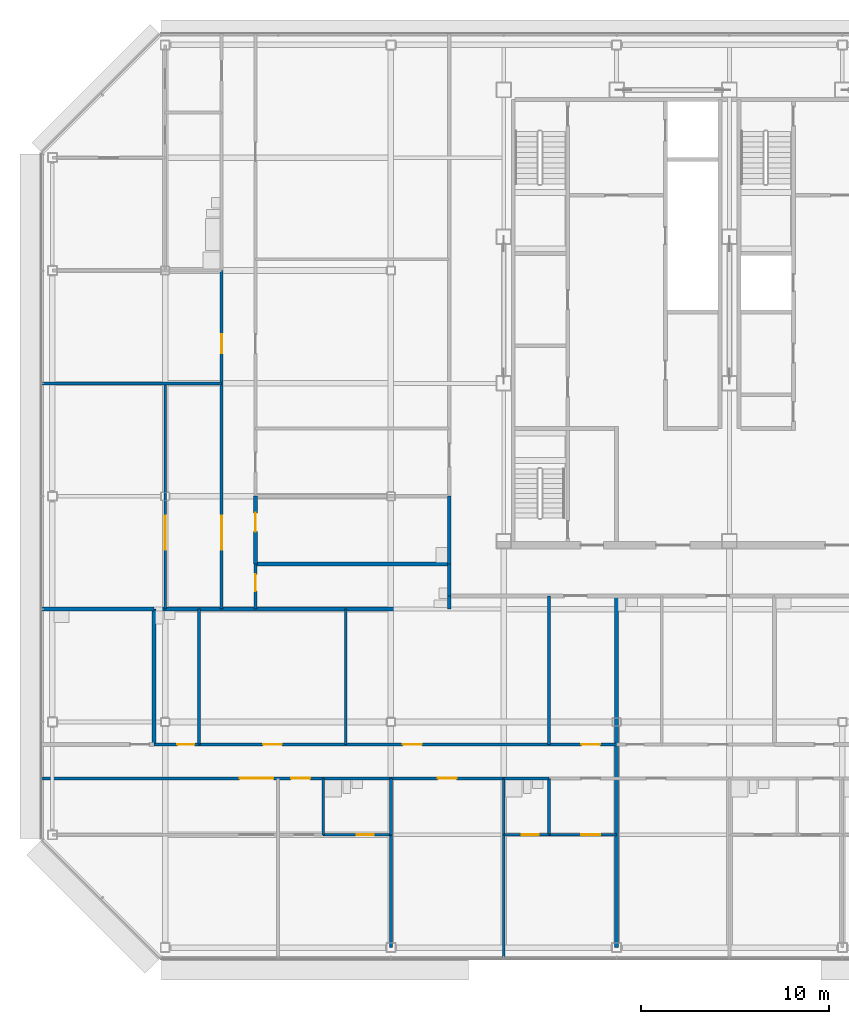
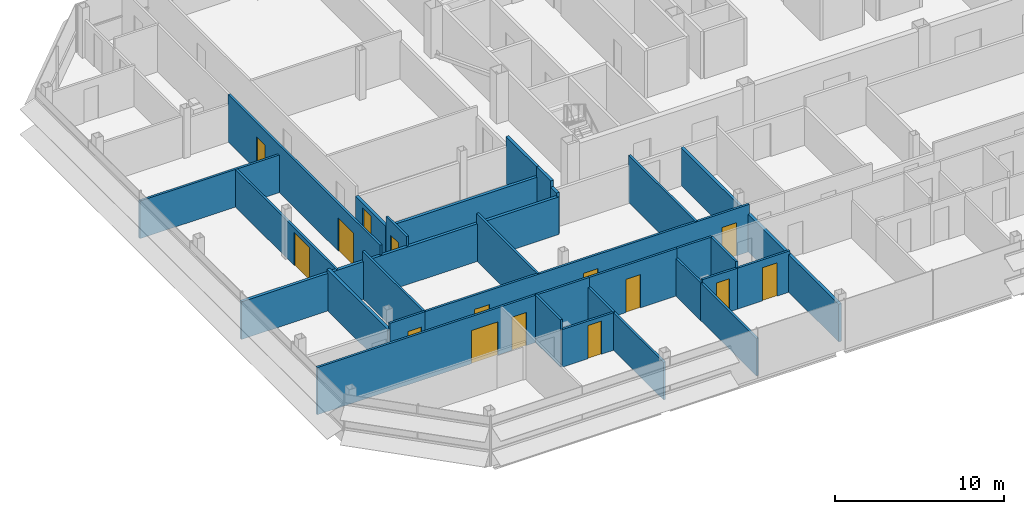
# One storey, part 21 of 28: 31 walls, 15 doors, 15 openings.
"""IFC4 building model written with IfcOpenShell, lengths in metres."""

from ifc_helpers import new_model, si_unit, direction, frame, frame_2d, origin, place, context, subcontext, project, spatial, rectangle, extrude, material, layer, layer_set, type_object, element, fill, save


model = new_model("IFC4")

# Units and contexts
model_context = context("Model", 3, precision=1e-05, world=origin(), true_north=direction((0.0, 1.0)))
body_context = subcontext(model_context, "Body", "Model", "MODEL_VIEW")
ifc_project = project(units=[si_unit("LENGTHUNIT", "METRE"), si_unit("AREAUNIT", "SQUARE_METRE"), si_unit("VOLUMEUNIT", "CUBIC_METRE"), si_unit("PLANEANGLEUNIT", "RADIAN"), si_unit("MASSUNIT", "GRAM", prefix="KILO")], contexts=[model_context])

# Site, building, storey
site_placement = place(None, origin())
site = spatial("IfcSite", under=ifc_project, at=site_placement, CompositionType="ELEMENT")
building_placement = place(site_placement, origin())
building = spatial("IfcBuilding", under=site, at=building_placement, Name="Sorahane Residences", CompositionType="ELEMENT")
storey_placement = place(building_placement, frame((0.0, 0.0, 301.60009765625)))
storey = spatial("IfcBuildingStorey", under=building, at=storey_placement, Name="L71", CompositionType="ELEMENT", Elevation=301.60009765625)

# Walls
ifc_material_1 = material(Name="Concrete blockwork C20 wall", Category="masonry")
ifc_layer_1 = layer(ifc_material_1, 0.199951171875)
ifc_layer_set_1 = layer_set([ifc_layer_1], Name="Corridor wall 200 EI 120")
wall_type_1 = type_object("IfcWallType", Name="Corridor wall 200 EI 120", PredefinedType="SOLIDWALL", material=ifc_layer_set_1)
wall_1_placement = place(storey_placement, frame((3.10009765625, 18.699951171875, 0.0), z_axis=(0.0, 0.0, 1.0), x_axis=(0.0, 1.0, 0.0)))
element("IfcWall", 1, at=wall_1_placement, inside=storey, type_object=wall_type_1, Name="L71 corridor wall", PredefinedType="SOLIDWALL", context=body_context, shape_type="SweptSolid", body=[
    extrude(rectangle(XDim=1.699951171875, YDim=0.199951171875, at=frame_2d((0.85009765625, 0.0))), origin(), (0.0, 0.0, 1.0), 3.419921875),
])
ifc_material_2 = material(Name="Concrete blockwork C20 wall", Category="masonry")
ifc_layer_2 = layer(ifc_material_2, 0.199951171875)
ifc_layer_set_2 = layer_set([ifc_layer_2], Name="Kitchen wall 200 EI 180")
wall_type_2 = type_object("IfcWallType", Name="Kitchen wall 200 EI 180", PredefinedType="SOLIDWALL", material=ifc_layer_set_2)
wall_2_placement = place(storey_placement, frame((-12.60009765625, 10.800048828125, 0.0), z_axis=(0.0, 0.0, 1.0), x_axis=(0.0, 1.0, 0.0)))
element("IfcWall", 2, at=wall_2_placement, inside=storey, type_object=wall_type_2, Name="L71 kitchen wall", PredefinedType="SOLIDWALL", context=body_context, shape_type="SweptSolid", body=[
    extrude(rectangle(XDim=7.199951171875, YDim=0.199951171875, at=frame_2d((3.60009765625, 0.0))), origin(), (0.0, 0.0, 1.0), 2.969970703125),
])

# Wall, opening, door
wall_3_placement = place(storey_placement, frame((-7.199951171875, 20.39990234375, 0.0), z_axis=(0.0, 0.0, 1.0), x_axis=(0.0, 1.0, 0.0)))
wall_3 = element("IfcWall", 3, at=wall_3_placement, inside=storey, type_object=wall_type_2, Name="L71 kitchen wall", PredefinedType="SOLIDWALL", context=body_context, shape_type="SweptSolid", body=[
    extrude(rectangle(XDim=3.60009765625, YDim=0.199951171875, at=frame_2d((1.800048828125, 0.0))), origin(), (0.0, 0.0, 1.0), 2.719970703125),
])
opening_1_placement = place(wall_3_placement, frame((1.719970703125, 0.0, 0.0)))
opening_1 = element("IfcOpeningElement", 4, at=opening_1_placement, cuts=wall_3, Name="Opening L71-34", PredefinedType="OPENING", context=body_context, shape_type="SweptSolid", body=[
    extrude(rectangle(XDim=1.0, YDim=2.39990234375, at=frame_2d((0.5, 1.199951171875))), frame((0.0, 0.10986328125, 0.0), z_axis=(0.0, -1.0, 0.0), x_axis=(1.0, 0.0, 0.0)), (0.0, 0.0, 1.0), 0.219970703125),
])
ifc_material_3 = material(Name="Steel", Category="steel")
door_type_1 = type_object("IfcDoorType", Name="Kitchen door 1000x2400 FD120", OperationType="NOTDEFINED", PredefinedType="DOOR", material=ifc_material_3)
door_1_placement = place(opening_1_placement, frame((1.0, 0.0, 0.0), z_axis=(0.0, 0.0, 1.0), x_axis=(-1.0, 0.0, 0.0)))
door_1 = element("IfcDoor", 5, at=door_1_placement, inside=storey, type_object=door_type_1, Name="Kitchen door L71-34", OperationType="SINGLE_SWING_LEFT", OverallHeight=2.39990234375, OverallWidth=1.0, PredefinedType="DOOR", context=body_context, shape_type="SweptSolid", body=[
    extrude(rectangle(XDim=1.0, YDim=2.39990234375, at=frame_2d((0.5, 1.199951171875))), frame((0.0, 0.02490234375, 0.0), z_axis=(0.0, -1.0, 0.0), x_axis=(1.0, 0.0, 0.0)), (0.0, 0.0, 1.0), 0.050048828125),
])
fill(opening_1, door_1)

# Walls
wall_4_placement = place(storey_placement, frame((3.10009765625, 20.39990234375, 0.0), z_axis=(0.0, 0.0, 1.0), x_axis=(0.0, 1.0, 0.0)))
element("IfcWall", 6, at=wall_4_placement, inside=storey, type_object=wall_type_2, Name="L71 kitchen wall", PredefinedType="SOLIDWALL", context=body_context, shape_type="SweptSolid", body=[
    extrude(rectangle(XDim=3.60009765625, YDim=0.199951171875, at=frame_2d((1.800048828125, 0.0))), origin(), (0.0, 0.0, 1.0), 3.419921875),
])
wall_5_placement = place(storey_placement, frame((-18.60009765625, 18.0, 0.0), z_axis=(0.0, 0.0, 1.0), x_axis=(1.0, 0.0, 0.0)))
element("IfcWall", 7, at=wall_5_placement, inside=storey, type_object=wall_type_2, Name="L71 kitchen wall", PredefinedType="SOLIDWALL", context=body_context, shape_type="SweptSolid", body=[
    extrude(rectangle(XDim=6.0, YDim=0.199951171875, at=frame_2d((3.0, 0.0))), origin(), (0.0, 0.0, 1.0), 2.719970703125),
])
wall_6_placement = place(storey_placement, frame((-7.199951171875, 20.39990234375, 0.0), z_axis=(0.0, 0.0, 1.0), x_axis=(1.0, 0.0, 0.0)))
element("IfcWall", 8, at=wall_6_placement, inside=storey, type_object=wall_type_2, Name="L71 kitchen wall", PredefinedType="SOLIDWALL", context=body_context, shape_type="SweptSolid", body=[
    extrude(rectangle(XDim=10.300048828125, YDim=0.199951171875, at=frame_2d((5.14990234375, 0.0))), origin(), (0.0, 0.0, 1.0), 2.719970703125),
])

# Wall, opening, door
ifc_material_4 = material(Name="Gypsum board partition on steel studs", Category="steel")
ifc_layer_3 = layer(ifc_material_4, 0.14990234375)
ifc_layer_set_3 = layer_set([ifc_layer_3], Name="Partition 150 EI 90")
wall_type_3 = type_object("IfcWallType", Name="Partition 150 EI 90", PredefinedType="PARTITIONING", material=ifc_layer_set_3)
wall_7_placement = place(storey_placement, frame((-12.0, 18.0, 0.0), z_axis=(0.0, 0.0, 1.0), x_axis=(0.0, 1.0, 0.0)))
wall_7 = element("IfcWall", 9, at=wall_7_placement, inside=storey, type_object=wall_type_3, Name="L71 partition", PredefinedType="PARTITIONING", context=body_context, shape_type="SweptSolid", body=[
    extrude(rectangle(XDim=12.0, YDim=0.14990234375, at=frame_2d((6.0, 0.0))), origin(), (0.0, 0.0, 1.0), 2.719970703125),
])
opening_2_placement = place(wall_7_placement, frame((3.159912109375, 0.0, 0.0)))
opening_2 = element("IfcOpeningElement", 10, at=opening_2_placement, cuts=wall_7, Name="Opening L71-40", PredefinedType="OPENING", context=body_context, shape_type="SweptSolid", body=[
    extrude(rectangle(XDim=1.800048828125, YDim=2.39990234375, at=frame_2d((0.89990234375, 1.199951171875))), frame((0.0, 0.0849609375, 0.0), z_axis=(0.0, -1.0, 0.0), x_axis=(1.0, 0.0, 0.0)), (0.0, 0.0, 1.0), 0.169921875),
])
ifc_material_5 = material(Name="Timber veneered fire door", Category="wood")
door_type_2 = type_object("IfcDoorType", Name="Double door 1800x2400 FD30", OperationType="NOTDEFINED", PredefinedType="DOOR", material=ifc_material_5)
door_2_placement = place(opening_2_placement, origin())
door_2 = element("IfcDoor", 11, at=door_2_placement, inside=storey, type_object=door_type_2, Name="Double door L71-40", OperationType="SINGLE_SWING_RIGHT", OverallHeight=2.39990234375, OverallWidth=1.800048828125, PredefinedType="DOOR", context=body_context, shape_type="SweptSolid", body=[
    extrude(rectangle(XDim=1.800048828125, YDim=2.39990234375, at=frame_2d((0.89990234375, 1.199951171875))), frame((0.0, 0.02490234375, 0.0), z_axis=(0.0, -1.0, 0.0), x_axis=(1.0, 0.0, 0.0)), (0.0, 0.0, 1.0), 0.050048828125),
])
fill(opening_2, door_2)

# Wall
wall_8_placement = place(storey_placement, frame((-2.39990234375, 10.800048828125, 0.0), z_axis=(0.0, 0.0, 1.0), x_axis=(0.0, 1.0, 0.0)))
element("IfcWall", 12, at=wall_8_placement, inside=storey, type_object=wall_type_3, Name="L71 partition", PredefinedType="PARTITIONING", context=body_context, shape_type="SweptSolid", body=[
    extrude(rectangle(XDim=7.199951171875, YDim=0.14990234375, at=frame_2d((3.60009765625, 0.0))), origin(), (0.0, 0.0, 1.0), 3.419921875),
])

# Wall, openings, doors
wall_9_placement = place(storey_placement, frame((-9.0, 18.0, 0.0), z_axis=(0.0, 0.0, 1.0), x_axis=(0.0, 1.0, 0.0)))
wall_9 = element("IfcWall", 13, at=wall_9_placement, inside=storey, type_object=wall_type_3, Name="L71 partition", PredefinedType="PARTITIONING", context=body_context, shape_type="SweptSolid", body=[
    extrude(rectangle(XDim=18.0, YDim=0.14990234375, at=frame_2d((9.0, 0.0))), origin(), (0.0, 0.0, 1.0), 3.419921875),
])
opening_3_placement = place(wall_9_placement, frame((3.159912109375, 0.0, 0.0)))
opening_3 = element("IfcOpeningElement", 14, at=opening_3_placement, cuts=wall_9, Name="Opening L71-37", PredefinedType="OPENING", context=body_context, shape_type="SweptSolid", body=[
    extrude(rectangle(XDim=1.800048828125, YDim=2.39990234375, at=frame_2d((0.89990234375, 1.199951171875))), frame((0.0, 0.0849609375, 0.0), z_axis=(0.0, -1.0, 0.0), x_axis=(1.0, 0.0, 0.0)), (0.0, 0.0, 1.0), 0.169921875),
])
opening_4_placement = place(wall_9_placement, frame((13.60009765625, 0.0, 0.0)))
opening_4 = element("IfcOpeningElement", 15, at=opening_4_placement, cuts=wall_9, Name="Opening L71-38", PredefinedType="OPENING", context=body_context, shape_type="SweptSolid", body=[
    extrude(rectangle(XDim=1.0, YDim=2.39990234375, at=frame_2d((0.5, 1.199951171875))), frame((0.0, 0.0849609375, 0.0), z_axis=(0.0, -1.0, 0.0), x_axis=(1.0, 0.0, 0.0)), (0.0, 0.0, 1.0), 0.169921875),
])
door_3_placement = place(opening_3_placement, origin())
door_3 = element("IfcDoor", 16, at=door_3_placement, inside=storey, type_object=door_type_2, Name="Double door L71-37", OperationType="SINGLE_SWING_RIGHT", OverallHeight=2.39990234375, OverallWidth=1.800048828125, PredefinedType="DOOR", context=body_context, shape_type="SweptSolid", body=[
    extrude(rectangle(XDim=1.800048828125, YDim=2.39990234375, at=frame_2d((0.89990234375, 1.199951171875))), frame((0.0, 0.02490234375, 0.0), z_axis=(0.0, -1.0, 0.0), x_axis=(1.0, 0.0, 0.0)), (0.0, 0.0, 1.0), 0.050048828125),
])
fill(opening_3, door_3)
ifc_material_6 = material(Name="Timber veneered fire door", Category="wood")
door_type_3 = type_object("IfcDoorType", Name="Room door 1000x2400 FD30", OperationType="NOTDEFINED", PredefinedType="DOOR", material=ifc_material_6)
door_4_placement = place(opening_4_placement, origin())
door_4 = element("IfcDoor", 17, at=door_4_placement, inside=storey, type_object=door_type_3, Name="Room door L71-38", OperationType="SINGLE_SWING_LEFT", OverallHeight=2.39990234375, OverallWidth=1.0, PredefinedType="DOOR", context=body_context, shape_type="SweptSolid", body=[
    extrude(rectangle(XDim=1.0, YDim=2.39990234375, at=frame_2d((0.5, 1.199951171875))), frame((0.0, 0.02490234375, 0.0), z_axis=(0.0, -1.0, 0.0), x_axis=(1.0, 0.0, 0.0)), (0.0, 0.0, 1.0), 0.050048828125),
])
fill(opening_4, door_4)

# Walls
wall_10_placement = place(storey_placement, frame((0.0, 0.0, 0.0), z_axis=(0.0, 0.0, 1.0), x_axis=(0.0, 1.0, 0.0)))
element("IfcWall", 18, at=wall_10_placement, inside=storey, type_object=wall_type_3, Name="L71 partition", PredefinedType="PARTITIONING", context=body_context, shape_type="SweptSolid", body=[
    extrude(rectangle(XDim=6.0, YDim=0.14990234375, at=frame_2d((3.0, 0.0))), origin(), (0.0, 0.0, 1.0), 2.719970703125),
])
wall_11_placement = place(storey_placement, frame((6.0, -0.60009765625, 0.0), z_axis=(0.0, 0.0, 1.0), x_axis=(0.0, 1.0, 0.0)))
element("IfcWall", 19, at=wall_11_placement, inside=storey, type_object=wall_type_3, Name="L71 partition", PredefinedType="PARTITIONING", context=body_context, shape_type="SweptSolid", body=[
    extrude(rectangle(XDim=6.60009765625, YDim=0.14990234375, at=frame_2d((3.300048828125, 0.0))), origin(), (0.0, 0.0, 1.0), 2.719970703125),
])
wall_12_placement = place(storey_placement, frame((8.39990234375, 10.800048828125, 0.0), z_axis=(0.0, 0.0, 1.0), x_axis=(0.0, 1.0, 0.0)))
element("IfcWall", 20, at=wall_12_placement, inside=storey, type_object=wall_type_3, Name="L71 partition", PredefinedType="PARTITIONING", context=body_context, shape_type="SweptSolid", body=[
    extrude(rectangle(XDim=7.89990234375, YDim=0.14990234375, at=frame_2d((3.949951171875, 0.0))), origin(), (0.0, 0.0, 1.0), 3.419921875),
])

# Wall, openings, doors
wall_13_placement = place(storey_placement, frame((-10.199951171875, 10.800048828125, 0.0), z_axis=(0.0, 0.0, 1.0), x_axis=(1.0, 0.0, 0.0)))
wall_13 = element("IfcWall", 21, at=wall_13_placement, inside=storey, type_object=wall_type_3, Name="L71 partition", PredefinedType="PARTITIONING", context=body_context, shape_type="SweptSolid", body=[
    extrude(rectangle(XDim=22.199951171875, YDim=0.14990234375, at=frame_2d((11.10009765625, 0.0))), origin(), (0.0, 0.0, 1.0), 3.419921875),
])
opening_5_placement = place(wall_13_placement, frame((20.320068359375, 0.0, 0.0)))
opening_5 = element("IfcOpeningElement", 22, at=opening_5_placement, cuts=wall_13, Name="Opening L71-01", PredefinedType="OPENING", context=body_context, shape_type="SweptSolid", body=[
    extrude(rectangle(XDim=1.0, YDim=2.39990234375, at=frame_2d((0.5, 1.199951171875))), frame((0.0, 0.0849609375, 0.0), z_axis=(0.0, -1.0, 0.0), x_axis=(1.0, 0.0, 0.0)), (0.0, 0.0, 1.0), 0.169921875),
])
opening_6_placement = place(wall_13_placement, frame((3.39990234375, 0.0, 0.0)))
opening_6 = element("IfcOpeningElement", 23, at=opening_6_placement, cuts=wall_13, Name="Opening L71-04", PredefinedType="OPENING", context=body_context, shape_type="SweptSolid", body=[
    extrude(rectangle(XDim=1.0, YDim=2.39990234375, at=frame_2d((0.5, 1.199951171875))), frame((0.0, 0.0849609375, 0.0), z_axis=(0.0, -1.0, 0.0), x_axis=(1.0, 0.0, 0.0)), (0.0, 0.0, 1.0), 0.169921875),
])
opening_7_placement = place(wall_13_placement, frame((10.840087890625, 0.0, 0.0)))
opening_7 = element("IfcOpeningElement", 24, at=opening_7_placement, cuts=wall_13, Name="Opening L71-05", PredefinedType="OPENING", context=body_context, shape_type="SweptSolid", body=[
    extrude(rectangle(XDim=1.0, YDim=2.39990234375, at=frame_2d((0.5, 1.199951171875))), frame((0.0, 0.0849609375, 0.0), z_axis=(0.0, -1.0, 0.0), x_axis=(1.0, 0.0, 0.0)), (0.0, 0.0, 1.0), 0.169921875),
])
door_5_placement = place(opening_5_placement, frame((1.0, 0.0, 0.0), z_axis=(0.0, 0.0, 1.0), x_axis=(-1.0, 0.0, 0.0)))
door_5 = element("IfcDoor", 25, at=door_5_placement, inside=storey, type_object=door_type_3, Name="Room door L71-01", OperationType="SINGLE_SWING_LEFT", OverallHeight=2.39990234375, OverallWidth=1.0, PredefinedType="DOOR", context=body_context, shape_type="SweptSolid", body=[
    extrude(rectangle(XDim=1.0, YDim=2.39990234375, at=frame_2d((0.5, 1.199951171875))), frame((0.0, 0.02490234375, 0.0), z_axis=(0.0, -1.0, 0.0), x_axis=(1.0, 0.0, 0.0)), (0.0, 0.0, 1.0), 0.050048828125),
])
fill(opening_5, door_5)
door_6_placement = place(opening_6_placement, origin())
door_6 = element("IfcDoor", 26, at=door_6_placement, inside=storey, type_object=door_type_3, Name="Room door L71-04", OperationType="SINGLE_SWING_LEFT", OverallHeight=2.39990234375, OverallWidth=1.0, PredefinedType="DOOR", context=body_context, shape_type="SweptSolid", body=[
    extrude(rectangle(XDim=1.0, YDim=2.39990234375, at=frame_2d((0.5, 1.199951171875))), frame((0.0, 0.02490234375, 0.0), z_axis=(0.0, -1.0, 0.0), x_axis=(1.0, 0.0, 0.0)), (0.0, 0.0, 1.0), 0.050048828125),
])
fill(opening_6, door_6)
door_7_placement = place(opening_7_placement, origin())
door_7 = element("IfcDoor", 27, at=door_7_placement, inside=storey, type_object=door_type_3, Name="Room door L71-05", OperationType="SINGLE_SWING_LEFT", OverallHeight=2.39990234375, OverallWidth=1.0, PredefinedType="DOOR", context=body_context, shape_type="SweptSolid", body=[
    extrude(rectangle(XDim=1.0, YDim=2.39990234375, at=frame_2d((0.5, 1.199951171875))), frame((0.0, 0.02490234375, 0.0), z_axis=(0.0, -1.0, 0.0), x_axis=(1.0, 0.0, 0.0)), (0.0, 0.0, 1.0), 0.050048828125),
])
fill(opening_7, door_7)

# Wall
wall_14_placement = place(storey_placement, frame((-18.60009765625, 30.0, 0.0), z_axis=(0.0, 0.0, 1.0), x_axis=(1.0, 0.0, 0.0)))
element("IfcWall", 28, at=wall_14_placement, inside=storey, type_object=wall_type_3, Name="L71 partition", PredefinedType="PARTITIONING", context=body_context, shape_type="SweptSolid", body=[
    extrude(rectangle(XDim=9.60009765625, YDim=0.14990234375, at=frame_2d((4.800048828125, 0.0))), origin(), (0.0, 0.0, 1.0), 2.719970703125),
])

# Wall, opening, door
wall_15_placement = place(storey_placement, frame((8.39990234375, 6.0, 0.0), z_axis=(0.0, 0.0, 1.0), x_axis=(1.0, 0.0, 0.0)))
wall_15 = element("IfcWall", 29, at=wall_15_placement, inside=storey, type_object=wall_type_3, Name="L71 partition", PredefinedType="PARTITIONING", context=body_context, shape_type="SweptSolid", body=[
    extrude(rectangle(XDim=3.60009765625, YDim=0.14990234375, at=frame_2d((1.800048828125, 0.0))), origin(), (0.0, 0.0, 1.0), 2.969970703125),
])
opening_8_placement = place(wall_15_placement, frame((1.719970703125, 0.0, 0.0)))
opening_8 = element("IfcOpeningElement", 30, at=opening_8_placement, cuts=wall_15, Name="Opening L71-13", PredefinedType="OPENING", context=body_context, shape_type="SweptSolid", body=[
    extrude(rectangle(XDim=1.0, YDim=2.39990234375, at=frame_2d((0.5, 1.199951171875))), frame((0.0, 0.0849609375, 0.0), z_axis=(0.0, -1.0, 0.0), x_axis=(1.0, 0.0, 0.0)), (0.0, 0.0, 1.0), 0.169921875),
])
door_8_placement = place(opening_8_placement, frame((1.0, 0.0, 0.0), z_axis=(0.0, 0.0, 1.0), x_axis=(-1.0, 0.0, 0.0)))
door_8 = element("IfcDoor", 31, at=door_8_placement, inside=storey, type_object=door_type_3, Name="Room door L71-13", OperationType="SINGLE_SWING_RIGHT", OverallHeight=2.39990234375, OverallWidth=1.0, PredefinedType="DOOR", context=body_context, shape_type="SweptSolid", body=[
    extrude(rectangle(XDim=1.0, YDim=2.39990234375, at=frame_2d((0.5, 1.199951171875))), frame((0.0, 0.02490234375, 0.0), z_axis=(0.0, -1.0, 0.0), x_axis=(1.0, 0.0, 0.0)), (0.0, 0.0, 1.0), 0.050048828125),
])
fill(opening_8, door_8)

# Wall, openings, doors
wall_16_placement = place(storey_placement, frame((-18.60009765625, 9.0, 0.0), z_axis=(0.0, 0.0, 1.0), x_axis=(1.0, 0.0, 0.0)))
wall_16 = element("IfcWall", 32, at=wall_16_placement, inside=storey, type_object=wall_type_3, Name="L71 partition", PredefinedType="PARTITIONING", context=body_context, shape_type="SweptSolid", body=[
    extrude(rectangle(XDim=15.0, YDim=0.14990234375, at=frame_2d((7.5, 0.0))), origin(), (0.0, 0.0, 1.0), 3.419921875),
])
opening_9_placement = place(wall_16_placement, frame((10.550048828125, 0.0, 0.0)))
opening_9 = element("IfcOpeningElement", 33, at=opening_9_placement, cuts=wall_16, Name="Opening L71-06", PredefinedType="OPENING", context=body_context, shape_type="SweptSolid", body=[
    extrude(rectangle(XDim=1.800048828125, YDim=2.39990234375, at=frame_2d((0.89990234375, 1.199951171875))), frame((0.0, 0.0849609375, 0.0), z_axis=(0.0, -1.0, 0.0), x_axis=(1.0, 0.0, 0.0)), (0.0, 0.0, 1.0), 0.169921875),
])
opening_10_placement = place(wall_16_placement, frame((13.300048828125, 0.0, 0.0)))
opening_10 = element("IfcOpeningElement", 34, at=opening_10_placement, cuts=wall_16, Name="Opening L71-07", PredefinedType="OPENING", context=body_context, shape_type="SweptSolid", body=[
    extrude(rectangle(XDim=1.0, YDim=2.39990234375, at=frame_2d((0.5, 1.199951171875))), frame((0.0, 0.0849609375, 0.0), z_axis=(0.0, -1.0, 0.0), x_axis=(1.0, 0.0, 0.0)), (0.0, 0.0, 1.0), 0.169921875),
])
door_9_placement = place(opening_9_placement, frame((1.800048828125, 0.0, 0.0), z_axis=(0.0, 0.0, 1.0), x_axis=(-1.0, 0.0, 0.0)))
door_9 = element("IfcDoor", 35, at=door_9_placement, inside=storey, type_object=door_type_2, Name="Double door L71-06", OperationType="SINGLE_SWING_LEFT", OverallHeight=2.39990234375, OverallWidth=1.800048828125, PredefinedType="DOOR", context=body_context, shape_type="SweptSolid", body=[
    extrude(rectangle(XDim=1.800048828125, YDim=2.39990234375, at=frame_2d((0.89990234375, 1.199951171875))), frame((0.0, 0.02490234375, 0.0), z_axis=(0.0, -1.0, 0.0), x_axis=(1.0, 0.0, 0.0)), (0.0, 0.0, 1.0), 0.050048828125),
])
fill(opening_9, door_9)
door_10_placement = place(opening_10_placement, frame((1.0, 0.0, 0.0), z_axis=(0.0, 0.0, 1.0), x_axis=(-1.0, 0.0, 0.0)))
door_10 = element("IfcDoor", 36, at=door_10_placement, inside=storey, type_object=door_type_3, Name="Room door L71-07", OperationType="SINGLE_SWING_LEFT", OverallHeight=2.39990234375, OverallWidth=1.0, PredefinedType="DOOR", context=body_context, shape_type="SweptSolid", body=[
    extrude(rectangle(XDim=1.0, YDim=2.39990234375, at=frame_2d((0.5, 1.199951171875))), frame((0.0, 0.02490234375, 0.0), z_axis=(0.0, -1.0, 0.0), x_axis=(1.0, 0.0, 0.0)), (0.0, 0.0, 1.0), 0.050048828125),
])
fill(opening_10, door_10)

# Wall, opening, door
wall_17_placement = place(storey_placement, frame((0.0, 9.0, 0.0), z_axis=(0.0, 0.0, 1.0), x_axis=(1.0, 0.0, 0.0)))
wall_17 = element("IfcWall", 37, at=wall_17_placement, inside=storey, type_object=wall_type_3, Name="L71 partition", PredefinedType="PARTITIONING", context=body_context, shape_type="SweptSolid", body=[
    extrude(rectangle(XDim=6.0, YDim=0.14990234375, at=frame_2d((3.0, 0.0))), origin(), (0.0, 0.0, 1.0), 3.419921875),
])
opening_11_placement = place(wall_17_placement, frame((2.5, 0.0, 0.0)))
opening_11 = element("IfcOpeningElement", 38, at=opening_11_placement, cuts=wall_17, Name="Opening L71-08", PredefinedType="OPENING", context=body_context, shape_type="SweptSolid", body=[
    extrude(rectangle(XDim=1.0, YDim=2.39990234375, at=frame_2d((0.5, 1.199951171875))), frame((0.0, 0.0849609375, 0.0), z_axis=(0.0, -1.0, 0.0), x_axis=(1.0, 0.0, 0.0)), (0.0, 0.0, 1.0), 0.169921875),
])
door_11_placement = place(opening_11_placement, frame((1.0, 0.0, 0.0), z_axis=(0.0, 0.0, 1.0), x_axis=(-1.0, 0.0, 0.0)))
door_11 = element("IfcDoor", 39, at=door_11_placement, inside=storey, type_object=door_type_3, Name="Room door L71-08", OperationType="SINGLE_SWING_RIGHT", OverallHeight=2.39990234375, OverallWidth=1.0, PredefinedType="DOOR", context=body_context, shape_type="SweptSolid", body=[
    extrude(rectangle(XDim=1.0, YDim=2.39990234375, at=frame_2d((0.5, 1.199951171875))), frame((0.0, 0.02490234375, 0.0), z_axis=(0.0, -1.0, 0.0), x_axis=(1.0, 0.0, 0.0)), (0.0, 0.0, 1.0), 0.050048828125),
])
fill(opening_11, door_11)

# Walls
ifc_material_7 = material(Name="Concrete blockwork C20 wall", Category="masonry")
ifc_layer_4 = layer(ifc_material_7, 0.199951171875)
ifc_layer_set_4 = layer_set([ifc_layer_4], Name="Party wall 200 EI 120")
wall_type_4 = type_object("IfcWallType", Name="Party wall 200 EI 120", PredefinedType="SOLIDWALL", material=ifc_layer_set_4)
wall_18_placement = place(storey_placement, frame((12.0, 0.0, 0.0), z_axis=(0.0, 0.0, 1.0), x_axis=(0.0, 1.0, 0.0)))
element("IfcWall", 40, at=wall_18_placement, inside=storey, type_object=wall_type_4, Name="L71 party wall", PredefinedType="SOLIDWALL", context=body_context, shape_type="SweptSolid", body=[
    extrude(rectangle(XDim=18.699951171875, YDim=0.199951171875, at=frame_2d((9.35009765625, 0.0))), origin(), (0.0, 0.0, 1.0), 2.719970703125),
])
wall_19_placement = place(storey_placement, frame((3.10009765625, 18.0, 0.0), z_axis=(0.0, 0.0, 1.0), x_axis=(0.0, 1.0, 0.0)))
element("IfcWall", 41, at=wall_19_placement, inside=storey, type_object=wall_type_4, Name="L71 party wall", PredefinedType="SOLIDWALL", context=body_context, shape_type="SweptSolid", body=[
    extrude(rectangle(XDim=0.699951171875, YDim=0.199951171875, at=frame_2d((0.35009765625, 0.0))), origin(), (0.0, 0.0, 1.0), 2.969970703125),
])
wall_20_placement = place(storey_placement, frame((-12.60009765625, 18.0, 0.0), z_axis=(0.0, 0.0, 1.0), x_axis=(1.0, 0.0, 0.0)))
element("IfcWall", 42, at=wall_20_placement, inside=storey, type_object=wall_type_4, Name="L71 party wall", PredefinedType="SOLIDWALL", context=body_context, shape_type="SweptSolid", body=[
    extrude(rectangle(XDim=15.7001953125, YDim=0.199951171875, at=frame_2d((7.85009765625, 0.0))), origin(), (0.0, 0.0, 1.0), 2.719970703125),
])
ifc_material_8 = material(Name="Gypsum board partition on steel studs", Category="steel")
ifc_layer_5 = layer(ifc_material_8, 0.14990234375)
ifc_layer_set_5 = layer_set([ifc_layer_5], Name="Wet wall 150 EI 90")
wall_type_5 = type_object("IfcWallType", Name="Wet wall 150 EI 90", PredefinedType="PARTITIONING", material=ifc_layer_set_5)
wall_21_placement = place(storey_placement, frame((-10.199951171875, 10.800048828125, 0.0), z_axis=(0.0, 0.0, 1.0), x_axis=(0.0, 1.0, 0.0)))
element("IfcWall", 43, at=wall_21_placement, inside=storey, type_object=wall_type_5, Name="L71 wet wall", PredefinedType="PARTITIONING", context=body_context, shape_type="SweptSolid", body=[
    extrude(rectangle(XDim=7.199951171875, YDim=0.14990234375, at=frame_2d((3.60009765625, 0.0))), origin(), (0.0, 0.0, 1.0), 3.419921875),
])
wall_22_placement = place(storey_placement, frame((-3.60009765625, 6.0, 0.0), z_axis=(0.0, 0.0, 1.0), x_axis=(0.0, 1.0, 0.0)))
element("IfcWall", 44, at=wall_22_placement, inside=storey, type_object=wall_type_5, Name="L71 wet wall", PredefinedType="PARTITIONING", context=body_context, shape_type="SweptSolid", body=[
    extrude(rectangle(XDim=3.0, YDim=0.14990234375, at=frame_2d((1.5, 0.0))), origin(), (0.0, 0.0, 1.0), 3.419921875),
])

# Wall, opening, door
wall_23_placement = place(storey_placement, frame((-7.199951171875, 18.0, 0.0), z_axis=(0.0, 0.0, 1.0), x_axis=(0.0, 1.0, 0.0)))
wall_23 = element("IfcWall", 45, at=wall_23_placement, inside=storey, type_object=wall_type_5, Name="L71 wet wall", PredefinedType="PARTITIONING", context=body_context, shape_type="SweptSolid", body=[
    extrude(rectangle(XDim=2.39990234375, YDim=0.14990234375, at=frame_2d((1.199951171875, 0.0))), origin(), (0.0, 0.0, 1.0), 3.419921875),
])
opening_12_placement = place(wall_23_placement, frame((0.949951171875, 0.0, 0.0)))
opening_12 = element("IfcOpeningElement", 46, at=opening_12_placement, cuts=wall_23, Name="Opening L71-33", PredefinedType="OPENING", context=body_context, shape_type="SweptSolid", body=[
    extrude(rectangle(XDim=0.89990234375, YDim=2.39990234375, at=frame_2d((0.449951171875, 1.199951171875))), frame((0.0, 0.0849609375, 0.0), z_axis=(0.0, -1.0, 0.0), x_axis=(1.0, 0.0, 0.0)), (0.0, 0.0, 1.0), 0.169921875),
])
ifc_material_9 = material(Name="Timber veneered fire door", Category="wood")
door_type_4 = type_object("IfcDoorType", Name="Bathroom door 900x2400 FD30", OperationType="NOTDEFINED", PredefinedType="DOOR", material=ifc_material_9)
door_12_placement = place(opening_12_placement, origin())
door_12 = element("IfcDoor", 47, at=door_12_placement, inside=storey, type_object=door_type_4, Name="Bathroom door L71-33", OperationType="SINGLE_SWING_LEFT", OverallHeight=2.39990234375, OverallWidth=0.89990234375, PredefinedType="DOOR", context=body_context, shape_type="SweptSolid", body=[
    extrude(rectangle(XDim=0.89990234375, YDim=2.39990234375, at=frame_2d((0.449951171875, 1.199951171875))), frame((0.0, 0.02490234375, 0.0), z_axis=(0.0, -1.0, 0.0), x_axis=(1.0, 0.0, 0.0)), (0.0, 0.0, 1.0), 0.050048828125),
])
fill(opening_12, door_12)

# Walls
for number, where, z_axis, x_axis, name in (
    (48, (0.0, 6.0, 0.0), (0.0, 0.0, 1.0), (0.0, 1.0, 0.0), "L71 wet wall"),
    (49, (6.0, 6.0, 0.0), (0.0, 0.0, 1.0), (0.0, 1.0, 0.0), "L71 wet wall"),
):
    element("IfcWall", number, at=place(storey_placement, frame(where, z_axis=z_axis, x_axis=x_axis)), inside=storey, type_object=wall_type_5, Name=name, PredefinedType="PARTITIONING", context=body_context, shape_type="SweptSolid", body=[
        extrude(rectangle(XDim=3.0, YDim=0.14990234375, at=frame_2d((1.5, 0.0))), origin(), (0.0, 0.0, 1.0), 2.719970703125),
    ])
wall_24_placement = place(storey_placement, frame((8.39990234375, 6.0, 0.0), z_axis=(0.0, 0.0, 1.0), x_axis=(0.0, 1.0, 0.0)))
element("IfcWall", 50, at=wall_24_placement, inside=storey, type_object=wall_type_5, Name="L71 wet wall", PredefinedType="PARTITIONING", context=body_context, shape_type="SweptSolid", body=[
    extrude(rectangle(XDim=3.0, YDim=0.14990234375, at=frame_2d((1.5, 0.0))), origin(), (0.0, 0.0, 1.0), 3.419921875),
])

# Wall, opening, door
wall_25_placement = place(storey_placement, frame((-12.60009765625, 10.800048828125, 0.0), z_axis=(0.0, 0.0, 1.0), x_axis=(1.0, 0.0, 0.0)))
wall_25 = element("IfcWall", 51, at=wall_25_placement, inside=storey, type_object=wall_type_5, Name="L71 wet wall", PredefinedType="PARTITIONING", context=body_context, shape_type="SweptSolid", body=[
    extrude(rectangle(XDim=2.400146484375, YDim=0.14990234375, at=frame_2d((1.2001953125, 0.0))), origin(), (0.0, 0.0, 1.0), 3.419921875),
])
opening_13_placement = place(wall_25_placement, frame((1.25, 0.0, 0.0)))
opening_13 = element("IfcOpeningElement", 52, at=opening_13_placement, cuts=wall_25, Name="Opening L71-03", PredefinedType="OPENING", context=body_context, shape_type="SweptSolid", body=[
    extrude(rectangle(XDim=0.89990234375, YDim=2.39990234375, at=frame_2d((0.449951171875, 1.199951171875))), frame((0.0, 0.0849609375, 0.0), z_axis=(0.0, -1.0, 0.0), x_axis=(1.0, 0.0, 0.0)), (0.0, 0.0, 1.0), 0.169921875),
])
door_13_placement = place(opening_13_placement, frame((0.89990234375, 0.0, 0.0), z_axis=(0.0, 0.0, 1.0), x_axis=(-1.0, 0.0, 0.0)))
door_13 = element("IfcDoor", 53, at=door_13_placement, inside=storey, type_object=door_type_4, Name="Bathroom door L71-03", OperationType="SINGLE_SWING_RIGHT", OverallHeight=2.39990234375, OverallWidth=0.89990234375, PredefinedType="DOOR", context=body_context, shape_type="SweptSolid", body=[
    extrude(rectangle(XDim=0.89990234375, YDim=2.39990234375, at=frame_2d((0.449951171875, 1.199951171875))), frame((0.0, 0.02490234375, 0.0), z_axis=(0.0, -1.0, 0.0), x_axis=(1.0, 0.0, 0.0)), (0.0, 0.0, 1.0), 0.050048828125),
])
fill(opening_13, door_13)

wall_26_placement = place(storey_placement, frame((-3.60009765625, 6.0, 0.0), z_axis=(0.0, 0.0, 1.0), x_axis=(1.0, 0.0, 0.0)))
wall_26 = element("IfcWall", 54, at=wall_26_placement, inside=storey, type_object=wall_type_5, Name="L71 wet wall", PredefinedType="PARTITIONING", context=body_context, shape_type="SweptSolid", body=[
    extrude(rectangle(XDim=3.60009765625, YDim=0.14990234375, at=frame_2d((1.800048828125, 0.0))), origin(), (0.0, 0.0, 1.0), 2.719970703125),
])
opening_14_placement = place(wall_26_placement, frame((1.7900390625, 0.0, 0.0)))
opening_14 = element("IfcOpeningElement", 55, at=opening_14_placement, cuts=wall_26, Name="Opening L71-12", PredefinedType="OPENING", context=body_context, shape_type="SweptSolid", body=[
    extrude(rectangle(XDim=0.89990234375, YDim=2.39990234375, at=frame_2d((0.449951171875, 1.199951171875))), frame((0.0, 0.0849609375, 0.0), z_axis=(0.0, -1.0, 0.0), x_axis=(1.0, 0.0, 0.0)), (0.0, 0.0, 1.0), 0.169921875),
])
door_14_placement = place(opening_14_placement, frame((0.89990234375, 0.0, 0.0), z_axis=(0.0, 0.0, 1.0), x_axis=(-1.0, 0.0, 0.0)))
door_14 = element("IfcDoor", 56, at=door_14_placement, inside=storey, type_object=door_type_4, Name="Bathroom door L71-12", OperationType="SINGLE_SWING_LEFT", OverallHeight=2.39990234375, OverallWidth=0.89990234375, PredefinedType="DOOR", context=body_context, shape_type="SweptSolid", body=[
    extrude(rectangle(XDim=0.89990234375, YDim=2.39990234375, at=frame_2d((0.449951171875, 1.199951171875))), frame((0.0, 0.02490234375, 0.0), z_axis=(0.0, -1.0, 0.0), x_axis=(1.0, 0.0, 0.0)), (0.0, 0.0, 1.0), 0.050048828125),
])
fill(opening_14, door_14)

wall_27_placement = place(storey_placement, frame((6.0, 6.0, 0.0), z_axis=(0.0, 0.0, 1.0), x_axis=(1.0, 0.0, 0.0)))
wall_27 = element("IfcWall", 57, at=wall_27_placement, inside=storey, type_object=wall_type_5, Name="L71 wet wall", PredefinedType="PARTITIONING", context=body_context, shape_type="SweptSolid", body=[
    extrude(rectangle(XDim=2.39990234375, YDim=0.14990234375, at=frame_2d((1.199951171875, 0.0))), origin(), (0.0, 0.0, 1.0), 2.969970703125),
])
opening_15_placement = place(wall_27_placement, frame((0.949951171875, 0.0, 0.0)))
opening_15 = element("IfcOpeningElement", 58, at=opening_15_placement, cuts=wall_27, Name="Opening L71-14", PredefinedType="OPENING", context=body_context, shape_type="SweptSolid", body=[
    extrude(rectangle(XDim=0.89990234375, YDim=2.39990234375, at=frame_2d((0.449951171875, 1.199951171875))), frame((0.0, 0.0849609375, 0.0), z_axis=(0.0, -1.0, 0.0), x_axis=(1.0, 0.0, 0.0)), (0.0, 0.0, 1.0), 0.169921875),
])
door_15_placement = place(opening_15_placement, frame((0.89990234375, 0.0, 0.0), z_axis=(0.0, 0.0, 1.0), x_axis=(-1.0, 0.0, 0.0)))
door_15 = element("IfcDoor", 59, at=door_15_placement, inside=storey, type_object=door_type_4, Name="Bathroom door L71-14", OperationType="SINGLE_SWING_RIGHT", OverallHeight=2.39990234375, OverallWidth=0.89990234375, PredefinedType="DOOR", context=body_context, shape_type="SweptSolid", body=[
    extrude(rectangle(XDim=0.89990234375, YDim=2.39990234375, at=frame_2d((0.449951171875, 1.199951171875))), frame((0.0, 0.02490234375, 0.0), z_axis=(0.0, -1.0, 0.0), x_axis=(1.0, 0.0, 0.0)), (0.0, 0.0, 1.0), 0.050048828125),
])
fill(opening_15, door_15)

# Walls
wall_28_placement = place(storey_placement, frame((-3.60009765625, 9.0, 0.0), z_axis=(0.0, 0.0, 1.0), x_axis=(1.0, 0.0, 0.0)))
element("IfcWall", 60, at=wall_28_placement, inside=storey, type_object=wall_type_5, Name="L71 wet wall", PredefinedType="PARTITIONING", context=body_context, shape_type="SweptSolid", body=[
    extrude(rectangle(XDim=3.60009765625, YDim=0.14990234375, at=frame_2d((1.800048828125, 0.0))), origin(), (0.0, 0.0, 1.0), 3.419921875),
])
wall_29_placement = place(storey_placement, frame((6.0, 9.0, 0.0), z_axis=(0.0, 0.0, 1.0), x_axis=(1.0, 0.0, 0.0)))
element("IfcWall", 61, at=wall_29_placement, inside=storey, type_object=wall_type_5, Name="L71 wet wall", PredefinedType="PARTITIONING", context=body_context, shape_type="SweptSolid", body=[
    extrude(rectangle(XDim=2.39990234375, YDim=0.14990234375, at=frame_2d((1.199951171875, 0.0))), origin(), (0.0, 0.0, 1.0), 3.419921875),
])

save(model, "model.ifc")
